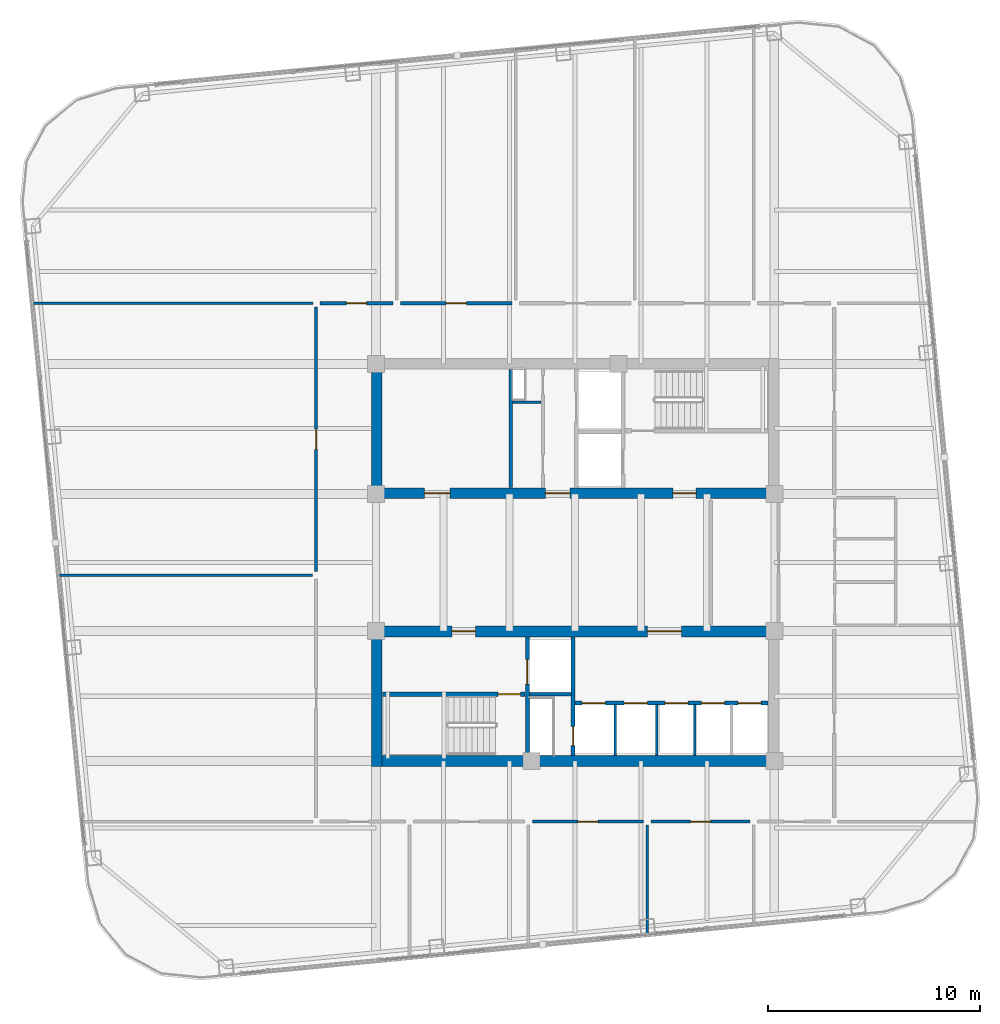
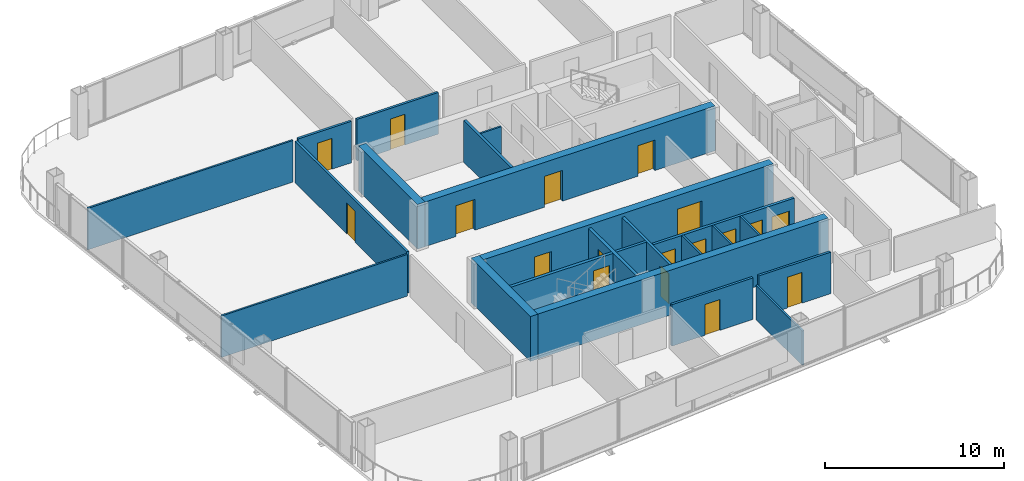
# One storey, part 17 of 22: 23 walls, 18 doors, 18 openings.
"""IFC4 building model written with IfcOpenShell, lengths in metres."""

from ifc_helpers import new_model, si_unit, direction, frame, frame_2d, origin, place, context, subcontext, project, spatial, rectangle, extrude, material, layer, layer_set, type_object, element, fill, save


model = new_model("IFC4")

# Units and contexts
model_context = context("Model", 3, precision=1e-05, world=origin(), true_north=direction((0.0, 1.0)))
body_context = subcontext(model_context, "Body", "Model", "MODEL_VIEW")
ifc_project = project(units=[si_unit("LENGTHUNIT", "METRE"), si_unit("AREAUNIT", "SQUARE_METRE"), si_unit("VOLUMEUNIT", "CUBIC_METRE"), si_unit("PLANEANGLEUNIT", "RADIAN"), si_unit("MASSUNIT", "GRAM", prefix="KILO")], contexts=[model_context])

# Site, building, storey
site_placement = place(None, origin())
site = spatial("IfcSite", under=ifc_project, at=site_placement, CompositionType="ELEMENT")
building_placement = place(site_placement, origin())
building = spatial("IfcBuilding", under=site, at=building_placement, Name="Qhalaya Broadcast Tower", CompositionType="ELEMENT")
storey_placement = place(building_placement, frame((0.0, 0.0, 165.300048828125)))
storey = spatial("IfcBuildingStorey", under=building, at=storey_placement, Name="L48", CompositionType="ELEMENT", Elevation=165.300048828125)

# Wall, opening, door
ifc_material_1 = material(Name="Gypsum Acoustic Partition")
ifc_layer_1 = layer(ifc_material_1, 0.14990234375, Name="Gypsum Acoustic Partition")
ifc_layer_set_1 = layer_set([ifc_layer_1], Name="Gypsum Acoustic Partition")
wall_type_1 = type_object("IfcWallType", Name="Corridor & Tenancy Acoustic Partition 150", PredefinedType="PARTITIONING", material=ifc_layer_set_1)
wall_1_placement = place(storey_placement, frame((-12.02001953125, 12.800048828125, 0.0), z_axis=(0.0, 0.0, 1.0), x_axis=(1.0, 0.0, 0.0)))
wall_1 = element("IfcWall", 1, at=wall_1_placement, inside=storey, type_object=wall_type_1, Name="L48 Partition Wall W-COR-01", PredefinedType="PARTITIONING", context=body_context, shape_type="SweptSolid", body=[
    extrude(rectangle(XDim=3.43994140625, YDim=0.14990234375, at=frame_2d((1.719970703125, 0.0))), origin(), (0.0, 0.0, 1.0), 2.829833984375),
])
opening_1_placement = place(wall_1_placement, frame((1.2451171875, 0.0, 0.0)))
opening_1 = element("IfcOpeningElement", 2, at=opening_1_placement, cuts=wall_1, Name="Opening D10", PredefinedType="OPENING", context=body_context, shape_type="SweptSolid", body=[
    extrude(rectangle(XDim=0.949951171875, YDim=2.10009765625, at=frame_2d((0.47509765625, 1.050048828125))), frame((0.0, 0.0869140625, 0.0), z_axis=(0.0, -1.0, 0.0), x_axis=(1.0, 0.0, 0.0)), (0.0, 0.0, 1.0), 0.173828125),
])
ifc_material_2 = material(Name="Timber Veneer Acoustic Door", Category="wood")
door_type_1 = type_object("IfcDoorType", Name="Cellular Office & Edit Booth Door D10", OperationType="NOTDEFINED", PredefinedType="DOOR", material=ifc_material_2)
door_1_placement = place(opening_1_placement, origin())
door_1 = element("IfcDoor", 3, at=door_1_placement, inside=storey, type_object=door_type_1, Name="L48 Door D-RM01", OperationType="SINGLE_SWING_RIGHT", OverallHeight=2.10009765625, OverallWidth=0.949951171875, PredefinedType="DOOR", context=body_context, shape_type="SweptSolid", body=[
    extrude(rectangle(XDim=0.949951171875, YDim=2.10009765625, at=frame_2d((0.47509765625, 1.050048828125))), frame((0.0, 0.02490234375, 0.0), z_axis=(0.0, -1.0, 0.0), x_axis=(1.0, 0.0, 0.0)), (0.0, 0.0, 1.0), 0.050048828125),
])
fill(opening_1, door_1)

wall_2_placement = place(storey_placement, frame((-8.219970703125, 12.800048828125, 0.0), z_axis=(0.0, 0.0, 1.0), x_axis=(1.0, 0.0, 0.0)))
wall_2 = element("IfcWall", 4, at=wall_2_placement, inside=storey, type_object=wall_type_1, Name="L48 Partition Wall W-COR-02", PredefinedType="PARTITIONING", context=body_context, shape_type="SweptSolid", body=[
    extrude(rectangle(XDim=5.239990234375, YDim=0.14990234375, at=frame_2d((2.6201171875, 0.0))), origin(), (0.0, 0.0, 1.0), 2.829833984375),
])
opening_2_placement = place(wall_2_placement, frame((2.14501953125, 0.0, 0.0)))
opening_2 = element("IfcOpeningElement", 5, at=opening_2_placement, cuts=wall_2, Name="Opening D10", PredefinedType="OPENING", context=body_context, shape_type="SweptSolid", body=[
    extrude(rectangle(XDim=0.949951171875, YDim=2.10009765625, at=frame_2d((0.47509765625, 1.050048828125))), frame((0.0, 0.0869140625, 0.0), z_axis=(0.0, -1.0, 0.0), x_axis=(1.0, 0.0, 0.0)), (0.0, 0.0, 1.0), 0.173828125),
])
door_2_placement = place(opening_2_placement, origin())
door_2 = element("IfcDoor", 6, at=door_2_placement, inside=storey, type_object=door_type_1, Name="L48 Door D-RM02", OperationType="SINGLE_SWING_LEFT", OverallHeight=2.10009765625, OverallWidth=0.949951171875, PredefinedType="DOOR", context=body_context, shape_type="SweptSolid", body=[
    extrude(rectangle(XDim=0.949951171875, YDim=2.10009765625, at=frame_2d((0.47509765625, 1.050048828125))), frame((0.0, 0.02490234375, 0.0), z_axis=(0.0, -1.0, 0.0), x_axis=(1.0, 0.0, 0.0)), (0.0, 0.0, 1.0), 0.050048828125),
])
fill(opening_2, door_2)

wall_3_placement = place(storey_placement, frame((-2.02001953125, -11.60009765625, 0.0), z_axis=(0.0, 0.0, 1.0), x_axis=(1.0, 0.0, 0.0)))
wall_3 = element("IfcWall", 7, at=wall_3_placement, inside=storey, type_object=wall_type_1, Name="L48 Partition Wall W-COR-08", PredefinedType="PARTITIONING", context=body_context, shape_type="SweptSolid", body=[
    extrude(rectangle(XDim=5.239990234375, YDim=0.14990234375, at=frame_2d((2.6201171875, 0.0))), origin(), (0.0, 0.0, 1.0), 2.829833984375),
])
opening_3_placement = place(wall_3_placement, frame((2.14501953125, 0.0, 0.0)))
opening_3 = element("IfcOpeningElement", 8, at=opening_3_placement, cuts=wall_3, Name="Opening D10", PredefinedType="OPENING", context=body_context, shape_type="SweptSolid", body=[
    extrude(rectangle(XDim=0.949951171875, YDim=2.10009765625, at=frame_2d((0.47509765625, 1.050048828125))), frame((0.0, 0.0869140625, 0.0), z_axis=(0.0, -1.0, 0.0), x_axis=(1.0, 0.0, 0.0)), (0.0, 0.0, 1.0), 0.173828125),
])
door_3_placement = place(opening_3_placement, origin())
door_3 = element("IfcDoor", 9, at=door_3_placement, inside=storey, type_object=door_type_1, Name="L48 Door D-RM08", OperationType="SINGLE_SWING_LEFT", OverallHeight=2.10009765625, OverallWidth=0.949951171875, PredefinedType="DOOR", context=body_context, shape_type="SweptSolid", body=[
    extrude(rectangle(XDim=0.949951171875, YDim=2.10009765625, at=frame_2d((0.47509765625, 1.050048828125))), frame((0.0, 0.02490234375, 0.0), z_axis=(0.0, -1.0, 0.0), x_axis=(1.0, 0.0, 0.0)), (0.0, 0.0, 1.0), 0.050048828125),
])
fill(opening_3, door_3)

wall_4_placement = place(storey_placement, frame((3.580078125, -11.60009765625, 0.0), z_axis=(0.0, 0.0, 1.0), x_axis=(1.0, 0.0, 0.0)))
wall_4 = element("IfcWall", 10, at=wall_4_placement, inside=storey, type_object=wall_type_1, Name="L48 Partition Wall W-COR-09", PredefinedType="PARTITIONING", context=body_context, shape_type="SweptSolid", body=[
    extrude(rectangle(XDim=4.639892578125, YDim=0.14990234375, at=frame_2d((2.31982421875, 0.0))), origin(), (0.0, 0.0, 1.0), 2.829833984375),
])
opening_4_placement = place(wall_4_placement, frame((1.844970703125, 0.0, 0.0)))
opening_4 = element("IfcOpeningElement", 11, at=opening_4_placement, cuts=wall_4, Name="Opening D10", PredefinedType="OPENING", context=body_context, shape_type="SweptSolid", body=[
    extrude(rectangle(XDim=0.949951171875, YDim=2.10009765625, at=frame_2d((0.47509765625, 1.050048828125))), frame((0.0, 0.0869140625, 0.0), z_axis=(0.0, -1.0, 0.0), x_axis=(1.0, 0.0, 0.0)), (0.0, 0.0, 1.0), 0.173828125),
])
door_4_placement = place(opening_4_placement, origin())
door_4 = element("IfcDoor", 12, at=door_4_placement, inside=storey, type_object=door_type_1, Name="L48 Door D-RM09", OperationType="SINGLE_SWING_RIGHT", OverallHeight=2.10009765625, OverallWidth=0.949951171875, PredefinedType="DOOR", context=body_context, shape_type="SweptSolid", body=[
    extrude(rectangle(XDim=0.949951171875, YDim=2.10009765625, at=frame_2d((0.47509765625, 1.050048828125))), frame((0.0, 0.02490234375, 0.0), z_axis=(0.0, -1.0, 0.0), x_axis=(1.0, 0.0, 0.0)), (0.0, 0.0, 1.0), 0.050048828125),
])
fill(opening_4, door_4)

wall_5_placement = place(storey_placement, frame((-12.199951171875, 0.179931640625, 0.0), z_axis=(0.0, 0.0, 1.0), x_axis=(0.0, 1.0, 0.0)))
wall_5 = element("IfcWall", 13, at=wall_5_placement, inside=storey, type_object=wall_type_1, Name="L48 Partition Wall W-COR-12", PredefinedType="PARTITIONING", context=body_context, shape_type="SweptSolid", body=[
    extrude(rectangle(XDim=12.440185546875, YDim=0.14990234375, at=frame_2d((6.22021484375, 0.0))), origin(), (0.0, 0.0, 1.0), 2.829833984375),
])
opening_5_placement = place(wall_5_placement, frame((5.7451171875, 0.0, 0.0)))
opening_5 = element("IfcOpeningElement", 14, at=opening_5_placement, cuts=wall_5, Name="Opening D10", PredefinedType="OPENING", context=body_context, shape_type="SweptSolid", body=[
    extrude(rectangle(XDim=0.949951171875, YDim=2.10009765625, at=frame_2d((0.47509765625, 1.050048828125))), frame((0.0, 0.0869140625, 0.0), z_axis=(0.0, -1.0, 0.0), x_axis=(1.0, 0.0, 0.0)), (0.0, 0.0, 1.0), 0.173828125),
])
door_5_placement = place(opening_5_placement, origin())
door_5 = element("IfcDoor", 15, at=door_5_placement, inside=storey, type_object=door_type_1, Name="L48 Door D-RM12", OperationType="SINGLE_SWING_LEFT", OverallHeight=2.10009765625, OverallWidth=0.949951171875, PredefinedType="DOOR", context=body_context, shape_type="SweptSolid", body=[
    extrude(rectangle(XDim=0.949951171875, YDim=2.10009765625, at=frame_2d((0.47509765625, 1.050048828125))), frame((0.0, 0.02490234375, 0.0), z_axis=(0.0, -1.0, 0.0), x_axis=(1.0, 0.0, 0.0)), (0.0, 0.0, 1.0), 0.050048828125),
])
fill(opening_5, door_5)

ifc_material_3 = material(Name="Concrete C50/60", Category="concrete")
ifc_layer_2 = layer(ifc_material_3, 0.199951171875, Name="Concrete C50/60")
ifc_layer_set_2 = layer_set([ifc_layer_2], Name="Concrete C50/60")
wall_type_2 = type_object("IfcWallType", Name="Load-Bearing Stair Shaft Wall 200", PredefinedType="SHEAR", material=ifc_layer_set_2)
wall_6_placement = place(storey_placement, frame((-9.080078125, -5.60498046875, 0.0), z_axis=(0.0, 0.0, 1.0), x_axis=(1.0, 0.0, 0.0)))
wall_6 = element("IfcWall", 16, at=wall_6_placement, inside=storey, type_object=wall_type_2, Name="L48 Stair Core Shear Wall SCW-ST2", PredefinedType="SHEAR", context=body_context, shape_type="SweptSolid", body=[
    extrude(rectangle(XDim=6.719970703125, YDim=0.199951171875, at=frame_2d((3.35986328125, 0.0))), origin(), (0.0, 0.0, 1.0), 2.829833984375),
])
opening_6_placement = place(wall_6_placement, frame((5.449951171875, 0.0, 0.0)))
opening_6 = element("IfcOpeningElement", 17, at=opening_6_placement, cuts=wall_6, Name="Opening D03", PredefinedType="OPENING", context=body_context, shape_type="SweptSolid", body=[
    extrude(rectangle(XDim=1.050048828125, YDim=2.080078125, at=frame_2d((0.52490234375, 1.0400390625))), frame((0.0, 0.112060546875, 0.0), z_axis=(0.0, -1.0, 0.0), x_axis=(1.0, 0.0, 0.0)), (0.0, 0.0, 1.0), 0.223876953125),
])
ifc_material_4 = material(Name="Fire-Rated Steel Door", Category="steel")
door_type_2 = type_object("IfcDoorType", Name="Core Stair Protected Fire Door D03", OperationType="NOTDEFINED", PredefinedType="DOOR", material=ifc_material_4)
door_6_placement = place(opening_6_placement, origin())
door_6 = element("IfcDoor", 18, at=door_6_placement, inside=storey, type_object=door_type_2, Name="L48 Door D-SST2", OperationType="SINGLE_SWING_RIGHT", OverallHeight=2.080078125, OverallWidth=1.050048828125, PredefinedType="DOOR", context=body_context, shape_type="SweptSolid", body=[
    extrude(rectangle(XDim=1.050048828125, YDim=2.080078125, at=frame_2d((0.52490234375, 1.0400390625))), frame((0.0, 0.02490234375, 0.0), z_axis=(0.0, -1.0, 0.0), x_axis=(1.0, 0.0, 0.0)), (0.0, 0.0, 1.0), 0.050048828125),
])
fill(opening_6, door_6)

wall_7_placement = place(storey_placement, frame((-2.25, -8.47998046875, 0.0), z_axis=(0.0, 0.0, 1.0), x_axis=(0.0, 1.0, 0.0)))
wall_7 = element("IfcWall", 19, at=wall_7_placement, inside=storey, type_object=wall_type_2, Name="L48 Stair Core Shear Wall SCW-FF", PredefinedType="SHEAR", context=body_context, shape_type="SweptSolid", body=[
    extrude(rectangle(XDim=5.56005859375, YDim=0.199951171875, at=frame_2d((2.780029296875, 0.0))), origin(), (0.0, 0.0, 1.0), 2.829833984375),
])
opening_7_placement = place(wall_7_placement, frame((3.35009765625, 0.0, 0.0)))
opening_7 = element("IfcOpeningElement", 20, at=opening_7_placement, cuts=wall_7, Name="Opening LD2", PredefinedType="OPENING", context=body_context, shape_type="SweptSolid", body=[
    extrude(rectangle(XDim=1.14990234375, YDim=2.080078125, at=frame_2d((0.574951171875, 1.0400390625))), frame((0.0, 0.112060546875, 0.0), z_axis=(0.0, -1.0, 0.0), x_axis=(1.0, 0.0, 0.0)), (0.0, 0.0, 1.0), 0.223876953125),
])
ifc_material_5 = material(Name="Brushed Stainless Steel Lift Door", Category="steel")
door_type_3 = type_object("IfcDoorType", Name="Firefighting Lift Sliding Landing Door LD2", OperationType="DOUBLE_DOOR_SLIDING", PredefinedType="DOOR", material=ifc_material_5)
door_7_placement = place(opening_7_placement, origin())
door_7 = element("IfcDoor", 21, at=door_7_placement, inside=storey, type_object=door_type_3, Name="L48 Door LD-FF2", OperationType="DOUBLE_DOOR_SLIDING", OverallHeight=2.080078125, OverallWidth=1.14990234375, PredefinedType="DOOR", context=body_context, shape_type="SweptSolid", body=[
    extrude(rectangle(XDim=1.14990234375, YDim=2.080078125, at=frame_2d((0.574951171875, 1.0400390625))), frame((0.0, 0.02490234375, 0.0), z_axis=(0.0, -1.0, 0.0), x_axis=(1.0, 0.0, 0.0)), (0.0, 0.0, 1.0), 0.050048828125),
])
fill(opening_7, door_7)

# Wall, openings, doors
ifc_layer_3 = layer(ifc_material_3, 0.5, Name="Concrete C50/60")
ifc_layer_set_3 = layer_set([ifc_layer_3], Name="Concrete C50/60")
wall_type_3 = type_object("IfcWallType", Name="Mid Split-Core Shear Wall 500", PredefinedType="SHEAR", material=ifc_layer_set_3)
wall_8_placement = place(storey_placement, frame((-9.60009765625, 3.85009765625, 0.0), z_axis=(0.0, 0.0, 1.0), x_axis=(1.0, 0.0, 0.0)))
wall_8 = element("IfcWall", 22, at=wall_8_placement, inside=storey, type_object=wall_type_3, Name="L48 Split-Core Shear Wall CW-NS", PredefinedType="SHEAR", context=body_context, shape_type="SweptSolid", body=[
    extrude(rectangle(XDim=19.2001953125, YDim=0.5, at=frame_2d((9.60009765625, 0.0))), origin(), (0.0, 0.0, 1.0), 3.050048828125),
])
opening_8_placement = place(wall_8_placement, frame((14.199951171875, 0.0, 0.0)))
opening_8 = element("IfcOpeningElement", 23, at=opening_8_placement, cuts=wall_8, Name="Opening D04", PredefinedType="OPENING", context=body_context, shape_type="SweptSolid", body=[
    extrude(rectangle(XDim=1.10009765625, YDim=2.080078125, at=frame_2d((0.550048828125, 1.0400390625))), frame((0.0, 0.261962890625, 0.0), z_axis=(0.0, -1.0, 0.0), x_axis=(1.0, 0.0, 0.0)), (0.0, 0.0, 1.0), 0.52392578125),
])
opening_9_placement = place(wall_8_placement, frame((8.199951171875, 0.0, 0.0)))
opening_9 = element("IfcOpeningElement", 24, at=opening_9_placement, cuts=wall_8, Name="Opening D05", PredefinedType="OPENING", context=body_context, shape_type="SweptSolid", body=[
    extrude(rectangle(XDim=1.14990234375, YDim=2.10009765625, at=frame_2d((0.574951171875, 1.050048828125))), frame((0.0, 0.261962890625, 0.0), z_axis=(0.0, -1.0, 0.0), x_axis=(1.0, 0.0, 0.0)), (0.0, 0.0, 1.0), 0.52392578125),
])
opening_10_placement = place(wall_8_placement, frame((2.5, 0.0, 0.0)))
opening_10 = element("IfcOpeningElement", 25, at=opening_10_placement, cuts=wall_8, Name="Opening D11", PredefinedType="OPENING", context=body_context, shape_type="SweptSolid", body=[
    extrude(rectangle(XDim=1.199951171875, YDim=2.10009765625, at=frame_2d((0.60009765625, 1.050048828125))), frame((0.0, 0.261962890625, 0.0), z_axis=(0.0, -1.0, 0.0), x_axis=(1.0, 0.0, 0.0)), (0.0, 0.0, 1.0), 0.52392578125),
])
ifc_material_6 = material(Name="Anodised Aluminium Glazed Door", Category="aluminium")
door_type_4 = type_object("IfcDoorType", Name="Conference, Boardroom & Studio Control Door D11", OperationType="NOTDEFINED", PredefinedType="DOOR", material=ifc_material_6)
door_8_placement = place(opening_10_placement, origin())
door_8 = element("IfcDoor", 26, at=door_8_placement, inside=storey, type_object=door_type_4, Name="L48 Door D-NREC1", OperationType="SINGLE_SWING_LEFT", OverallHeight=2.10009765625, OverallWidth=1.199951171875, PredefinedType="DOOR", context=body_context, shape_type="SweptSolid", body=[
    extrude(rectangle(XDim=1.199951171875, YDim=2.10009765625, at=frame_2d((0.60009765625, 1.050048828125))), frame((0.0, 0.02490234375, 0.0), z_axis=(0.0, -1.0, 0.0), x_axis=(1.0, 0.0, 0.0)), (0.0, 0.0, 1.0), 0.050048828125),
])
fill(opening_10, door_8)
door_type_5 = type_object("IfcDoorType", Name="Firefighting Lobby Rated Door D04", OperationType="NOTDEFINED", PredefinedType="DOOR", material=ifc_material_4)
door_9_placement = place(opening_8_placement, origin())
door_9 = element("IfcDoor", 27, at=door_9_placement, inside=storey, type_object=door_type_5, Name="L48 Door D-NFF", OperationType="SINGLE_SWING_RIGHT", OverallHeight=2.080078125, OverallWidth=1.10009765625, PredefinedType="DOOR", context=body_context, shape_type="SweptSolid", body=[
    extrude(rectangle(XDim=1.10009765625, YDim=2.080078125, at=frame_2d((0.550048828125, 1.0400390625))), frame((0.0, 0.02490234375, 0.0), z_axis=(0.0, -1.0, 0.0), x_axis=(1.0, 0.0, 0.0)), (0.0, 0.0, 1.0), 0.050048828125),
])
fill(opening_8, door_9)
door_type_6 = type_object("IfcDoorType", Name="Refuge & Plant Room Fire Door D05", OperationType="NOTDEFINED", PredefinedType="DOOR", material=ifc_material_4)
door_10_placement = place(opening_9_placement, origin())
door_10 = element("IfcDoor", 28, at=door_10_placement, inside=storey, type_object=door_type_6, Name="L48 Door D-NSVL", OperationType="SINGLE_SWING_LEFT", OverallHeight=2.10009765625, OverallWidth=1.14990234375, PredefinedType="DOOR", context=body_context, shape_type="SweptSolid", body=[
    extrude(rectangle(XDim=1.14990234375, YDim=2.10009765625, at=frame_2d((0.574951171875, 1.050048828125))), frame((0.0, 0.02490234375, 0.0), z_axis=(0.0, -1.0, 0.0), x_axis=(1.0, 0.0, 0.0)), (0.0, 0.0, 1.0), 0.050048828125),
])
fill(opening_9, door_10)

# Walls
wall_9_placement = place(storey_placement, frame((-9.35009765625, 3.60009765625, 0.0), z_axis=(0.0, 0.0, 1.0), x_axis=(0.0, 1.0, 0.0)))
element("IfcWall", 29, at=wall_9_placement, inside=storey, type_object=wall_type_3, Name="L48 Split-Core Shear Wall CW-NW", PredefinedType="SHEAR", context=body_context, shape_type="SweptSolid", body=[
    extrude(rectangle(XDim=6.599853515625, YDim=0.5, at=frame_2d((3.2998046875, 0.0))), origin(), (0.0, 0.0, 1.0), 3.050048828125),
])
wall_10_placement = place(storey_placement, frame((-9.60009765625, -8.75, 0.0), z_axis=(0.0, 0.0, 1.0), x_axis=(1.0, 0.0, 0.0)))
element("IfcWall", 30, at=wall_10_placement, inside=storey, type_object=wall_type_3, Name="L48 Split-Core Shear Wall CW-SS", PredefinedType="SHEAR", context=body_context, shape_type="SweptSolid", body=[
    extrude(rectangle(XDim=19.2001953125, YDim=0.5, at=frame_2d((9.60009765625, 0.0))), origin(), (0.0, 0.0, 1.0), 3.050048828125),
])

# Wall, openings, doors
wall_11_placement = place(storey_placement, frame((-9.60009765625, -2.64990234375, 0.0), z_axis=(0.0, 0.0, 1.0), x_axis=(1.0, 0.0, 0.0)))
wall_11 = element("IfcWall", 31, at=wall_11_placement, inside=storey, type_object=wall_type_3, Name="L48 Split-Core Shear Wall CW-SN", PredefinedType="SHEAR", context=body_context, shape_type="SweptSolid", body=[
    extrude(rectangle(XDim=19.2001953125, YDim=0.5, at=frame_2d((9.60009765625, 0.0))), origin(), (0.0, 0.0, 1.0), 3.050048828125),
])
opening_11_placement = place(wall_11_placement, frame((3.800048828125, 0.0, 0.0)))
opening_11 = element("IfcOpeningElement", 32, at=opening_11_placement, cuts=wall_11, Name="Opening D04", PredefinedType="OPENING", context=body_context, shape_type="SweptSolid", body=[
    extrude(rectangle(XDim=1.10009765625, YDim=2.080078125, at=frame_2d((0.550048828125, 1.0400390625))), frame((0.0, 0.261962890625, 0.0), z_axis=(0.0, -1.0, 0.0), x_axis=(1.0, 0.0, 0.0)), (0.0, 0.0, 1.0), 0.52392578125),
])
opening_12_placement = place(wall_11_placement, frame((13.0, 0.0, 0.0)))
opening_12 = element("IfcOpeningElement", 33, at=opening_12_placement, cuts=wall_11, Name="Opening D07", PredefinedType="OPENING", context=body_context, shape_type="SweptSolid", body=[
    extrude(rectangle(XDim=1.60009765625, YDim=2.1201171875, at=frame_2d((0.800048828125, 1.06005859375))), frame((0.0, 0.261962890625, 0.0), z_axis=(0.0, -1.0, 0.0), x_axis=(1.0, 0.0, 0.0)), (0.0, 0.0, 1.0), 0.52392578125),
])
door_11_placement = place(opening_11_placement, origin())
door_11 = element("IfcDoor", 34, at=door_11_placement, inside=storey, type_object=door_type_5, Name="L48 Door D-SFF", OperationType="SINGLE_SWING_LEFT", OverallHeight=2.080078125, OverallWidth=1.10009765625, PredefinedType="DOOR", context=body_context, shape_type="SweptSolid", body=[
    extrude(rectangle(XDim=1.10009765625, YDim=2.080078125, at=frame_2d((0.550048828125, 1.0400390625))), frame((0.0, 0.02490234375, 0.0), z_axis=(0.0, -1.0, 0.0), x_axis=(1.0, 0.0, 0.0)), (0.0, 0.0, 1.0), 0.050048828125),
])
fill(opening_11, door_11)
door_type_7 = type_object("IfcDoorType", Name="Passenger Lift Lobby Double Glazed Door D07", OperationType="DOUBLE_DOOR_SINGLE_SWING", PredefinedType="DOOR", material=ifc_material_6)
door_12_placement = place(opening_12_placement, origin())
door_12 = element("IfcDoor", 35, at=door_12_placement, inside=storey, type_object=door_type_7, Name="L48 Door D-SPLL", OperationType="DOUBLE_DOOR_SINGLE_SWING", OverallHeight=2.1201171875, OverallWidth=1.60009765625, PredefinedType="DOOR", context=body_context, shape_type="SweptSolid", body=[
    extrude(rectangle(XDim=1.60009765625, YDim=2.1201171875, at=frame_2d((0.800048828125, 1.06005859375))), frame((0.0, 0.02490234375, 0.0), z_axis=(0.0, -1.0, 0.0), x_axis=(1.0, 0.0, 0.0)), (0.0, 0.0, 1.0), 0.050048828125),
])
fill(opening_12, door_12)

# Walls
wall_12_placement = place(storey_placement, frame((-9.35009765625, -9.0, 0.0), z_axis=(0.0, 0.0, 1.0), x_axis=(0.0, 1.0, 0.0)))
element("IfcWall", 36, at=wall_12_placement, inside=storey, type_object=wall_type_3, Name="L48 Split-Core Shear Wall CW-SW", PredefinedType="SHEAR", context=body_context, shape_type="SweptSolid", body=[
    extrude(rectangle(XDim=6.60009765625, YDim=0.5, at=frame_2d((3.300048828125, 0.0))), origin(), (0.0, 0.0, 1.0), 3.050048828125),
])
ifc_layer_4 = layer(ifc_material_1, 0.1201171875, Name="Gypsum Acoustic Partition")
ifc_layer_set_4 = layer_set([ifc_layer_4], Name="Gypsum Acoustic Partition")
wall_type_4 = type_object("IfcWallType", Name="Office, Booth & Sanitary Partition 120", PredefinedType="PARTITIONING", material=ifc_layer_set_4)
wall_13_placement = place(storey_placement, frame((-2.9599609375, 8.14990234375, 0.0), z_axis=(0.0, 0.0, 1.0), x_axis=(1.0, 0.0, 0.0)))
element("IfcWall", 37, at=wall_13_placement, inside=storey, type_object=wall_type_4, Name="L48 Partition Wall NCW-VA", PredefinedType="PARTITIONING", context=body_context, shape_type="SweptSolid", body=[
    extrude(rectangle(XDim=1.35986328125, YDim=0.1201171875, at=frame_2d((0.679931640625, 0.0))), origin(), (0.0, 0.0, 1.0), 2.829833984375),
])
for number, where, z_axis, x_axis, name in (
    (38, (1.8798828125, -8.47998046875, 0.0), (0.0, 0.0, 1.0), (0.0, 1.0, 0.0), "L48 Partition Wall SCW-MD4"),
    (39, (3.85009765625, -8.47998046875, 0.0), (0.0, 0.0, 1.0), (0.0, 1.0, 0.0), "L48 Partition Wall SCW-MD5"),
    (40, (5.639892578125, -8.47998046875, 0.0), (0.0, 0.0, 1.0), (0.0, 1.0, 0.0), "L48 Partition Wall SCW-HD6"),
):
    element("IfcWall", number, at=place(storey_placement, frame(where, z_axis=z_axis, x_axis=x_axis)), inside=storey, type_object=wall_type_4, Name=name, PredefinedType="PARTITIONING", context=body_context, shape_type="SweptSolid", body=[
        extrude(rectangle(XDim=2.3798828125, YDim=0.1201171875, at=frame_2d((1.18994140625, 0.0))), origin(), (0.0, 0.0, 1.0), 2.829833984375),
    ])
wall_14_placement = place(storey_placement, frame((-25.558837890625, 12.800048828125, 0.0), z_axis=(0.0, 0.0, 1.0), x_axis=(1.0, 0.0, 0.0)))
element("IfcWall", 41, at=wall_14_placement, inside=storey, type_object=wall_type_4, Name="L48 Partition Wall W-BNDW1", PredefinedType="PARTITIONING", context=body_context, shape_type="SweptSolid", body=[
    extrude(rectangle(XDim=13.21875, YDim=0.1201171875, at=frame_2d((6.609375, 0.0))), origin(), (0.0, 0.0, 1.0), 2.829833984375),
])
wall_15_placement = place(storey_placement, frame((3.39990234375, -16.9189453125, 0.0), z_axis=(0.0, 0.0, 1.0), x_axis=(0.0, 1.0, 0.0)))
element("IfcWall", 42, at=wall_15_placement, inside=storey, type_object=wall_type_4, Name="L48 Partition Wall W-DIVS3", PredefinedType="PARTITIONING", context=body_context, shape_type="SweptSolid", body=[
    extrude(rectangle(XDim=5.158935546875, YDim=0.1201171875, at=frame_2d((2.57958984375, 0.0))), origin(), (0.0, 0.0, 1.0), 2.346923828125),
])
wall_16_placement = place(storey_placement, frame((-24.326416015625, 0.0, 0.0), z_axis=(0.0, 0.0, 1.0), x_axis=(1.0, 0.0, 0.0)))
element("IfcWall", 43, at=wall_16_placement, inside=storey, type_object=wall_type_4, Name="L48 Partition Wall W-DIVW1", PredefinedType="PARTITIONING", context=body_context, shape_type="SweptSolid", body=[
    extrude(rectangle(XDim=11.96630859375, YDim=0.1201171875, at=frame_2d((5.983154296875, 0.0))), origin(), (0.0, 0.0, 1.0), 2.829833984375),
])
ifc_layer_5 = layer(ifc_material_1, 0.175048828125, Name="Gypsum Acoustic Partition")
ifc_layer_set_5 = layer_set([ifc_layer_5], Name="Gypsum Acoustic Partition")
wall_type_5 = type_object("IfcWallType", Name="Shaft & Riser Fire Partition 175", PredefinedType="PARTITIONING", material=ifc_layer_set_5)
wall_17_placement = place(storey_placement, frame((-3.0400390625, 4.1201171875, 0.0), z_axis=(0.0, 0.0, 1.0), x_axis=(0.0, 1.0, 0.0)))
element("IfcWall", 44, at=wall_17_placement, inside=storey, type_object=wall_type_5, Name="L48 Partition Wall NCW-VRW", PredefinedType="PARTITIONING", context=body_context, shape_type="SweptSolid", body=[
    extrude(rectangle(XDim=5.559814453125, YDim=0.175048828125, at=frame_2d((2.77978515625, 0.0))), origin(), (0.0, 0.0, 1.0), 2.829833984375),
])

# Wall, opening, door
wall_18_placement = place(storey_placement, frame((-0.10009765625, -8.47998046875, 0.0), z_axis=(0.0, 0.0, 1.0), x_axis=(0.0, 1.0, 0.0)))
wall_18 = element("IfcWall", 45, at=wall_18_placement, inside=storey, type_object=wall_type_5, Name="L48 Partition Wall SCW-FFE", PredefinedType="PARTITIONING", context=body_context, shape_type="SweptSolid", body=[
    extrude(rectangle(XDim=5.56005859375, YDim=0.175048828125, at=frame_2d((2.780029296875, 0.0))), origin(), (0.0, 0.0, 1.0), 2.829833984375),
])
opening_13_placement = place(wall_18_placement, frame((0.449951171875, 0.0, 0.0)))
opening_13 = element("IfcOpeningElement", 46, at=opening_13_placement, cuts=wall_18, Name="Opening D06", PredefinedType="OPENING", context=body_context, shape_type="SweptSolid", body=[
    extrude(rectangle(XDim=0.89990234375, YDim=2.050048828125, at=frame_2d((0.449951171875, 1.02490234375))), frame((0.0, 0.099609375, 0.0), z_axis=(0.0, -1.0, 0.0), x_axis=(1.0, 0.0, 0.0)), (0.0, 0.0, 1.0), 0.198974609375),
])
door_type_8 = type_object("IfcDoorType", Name="Riser & Electrical Shaft Access Door D06", OperationType="NOTDEFINED", PredefinedType="DOOR", material=ifc_material_4)
door_13_placement = place(opening_13_placement, origin())
door_13 = element("IfcDoor", 47, at=door_13_placement, inside=storey, type_object=door_type_8, Name="L48 Riser Shaft Access Door D-SRSR", OperationType="SINGLE_SWING_LEFT", OverallHeight=2.050048828125, OverallWidth=0.89990234375, PredefinedType="DOOR", context=body_context, shape_type="SweptSolid", body=[
    extrude(rectangle(XDim=0.89990234375, YDim=2.050048828125, at=frame_2d((0.449951171875, 1.02490234375))), frame((0.0, 0.02490234375, 0.0), z_axis=(0.0, -1.0, 0.0), x_axis=(1.0, 0.0, 0.0)), (0.0, 0.0, 1.0), 0.050048828125),
])
fill(opening_13, door_13)

# Wall
wall_19_placement = place(storey_placement, frame((-2.14990234375, -5.60009765625, 0.0), z_axis=(0.0, 0.0, 1.0), x_axis=(1.0, 0.0, 0.0)))
element("IfcWall", 48, at=wall_19_placement, inside=storey, type_object=wall_type_5, Name="L48 Partition Wall SCW-FFM", PredefinedType="PARTITIONING", context=body_context, shape_type="SweptSolid", body=[
    extrude(rectangle(XDim=1.969970703125, YDim=0.175048828125, at=frame_2d((0.98486328125, 0.0))), origin(), (0.0, 0.0, 1.0), 2.829833984375),
])

# Wall, openings, doors
wall_20_placement = place(storey_placement, frame((0.0, -6.02001953125, 0.0), z_axis=(0.0, 0.0, 1.0), x_axis=(1.0, 0.0, 0.0)))
wall_20 = element("IfcWall", 49, at=wall_20_placement, inside=storey, type_object=wall_type_5, Name="L48 Partition Wall SCW-SLB", PredefinedType="PARTITIONING", context=body_context, shape_type="SweptSolid", body=[
    extrude(rectangle(XDim=9.080078125, YDim=0.175048828125, at=frame_2d((4.5400390625, 0.0))), origin(), (0.0, 0.0, 1.0), 2.829833984375),
])
opening_14_placement = place(wall_20_placement, frame((0.330078125, 0.0, 0.0)))
opening_14 = element("IfcOpeningElement", 50, at=opening_14_placement, cuts=wall_20, Name="Opening LD1", PredefinedType="OPENING", context=body_context, shape_type="SweptSolid", body=[
    extrude(rectangle(XDim=1.10009765625, YDim=2.06005859375, at=frame_2d((0.550048828125, 1.030029296875))), frame((0.0, 0.099609375, 0.0), z_axis=(0.0, -1.0, 0.0), x_axis=(1.0, 0.0, 0.0)), (0.0, 0.0, 1.0), 0.198974609375),
])
opening_15_placement = place(wall_20_placement, frame((2.300048828125, 0.0, 0.0)))
opening_15 = element("IfcOpeningElement", 51, at=opening_15_placement, cuts=wall_20, Name="Opening LD1", PredefinedType="OPENING", context=body_context, shape_type="SweptSolid", body=[
    extrude(rectangle(XDim=1.10009765625, YDim=2.06005859375, at=frame_2d((0.550048828125, 1.030029296875))), frame((0.0, 0.099609375, 0.0), z_axis=(0.0, -1.0, 0.0), x_axis=(1.0, 0.0, 0.0)), (0.0, 0.0, 1.0), 0.198974609375),
])
opening_16_placement = place(wall_20_placement, frame((4.219970703125, 0.0, 0.0)))
opening_16 = element("IfcOpeningElement", 52, at=opening_16_placement, cuts=wall_20, Name="Opening LD1", PredefinedType="OPENING", context=body_context, shape_type="SweptSolid", body=[
    extrude(rectangle(XDim=1.10009765625, YDim=2.06005859375, at=frame_2d((0.550048828125, 1.030029296875))), frame((0.0, 0.099609375, 0.0), z_axis=(0.0, -1.0, 0.0), x_axis=(1.0, 0.0, 0.0)), (0.0, 0.0, 1.0), 0.198974609375),
])
opening_17_placement = place(wall_20_placement, frame((5.93994140625, 0.0, 0.0)))
opening_17 = element("IfcOpeningElement", 53, at=opening_17_placement, cuts=wall_20, Name="Opening LD1", PredefinedType="OPENING", context=body_context, shape_type="SweptSolid", body=[
    extrude(rectangle(XDim=1.10009765625, YDim=2.06005859375, at=frame_2d((0.550048828125, 1.030029296875))), frame((0.0, 0.099609375, 0.0), z_axis=(0.0, -1.0, 0.0), x_axis=(1.0, 0.0, 0.0)), (0.0, 0.0, 1.0), 0.198974609375),
])
opening_18_placement = place(wall_20_placement, frame((7.659912109375, 0.0, 0.0)))
opening_18 = element("IfcOpeningElement", 54, at=opening_18_placement, cuts=wall_20, Name="Opening LD1", PredefinedType="OPENING", context=body_context, shape_type="SweptSolid", body=[
    extrude(rectangle(XDim=1.10009765625, YDim=2.06005859375, at=frame_2d((0.550048828125, 1.030029296875))), frame((0.0, 0.099609375, 0.0), z_axis=(0.0, -1.0, 0.0), x_axis=(1.0, 0.0, 0.0)), (0.0, 0.0, 1.0), 0.198974609375),
])
door_type_9 = type_object("IfcDoorType", Name="Passenger Lift Sliding Landing Door LD1", OperationType="DOUBLE_DOOR_SLIDING", PredefinedType="DOOR", material=ifc_material_5)
door_14_placement = place(opening_14_placement, origin())
door_14 = element("IfcDoor", 55, at=door_14_placement, inside=storey, type_object=door_type_9, Name="L48 Door LD-P4", OperationType="DOUBLE_DOOR_SLIDING", OverallHeight=2.06005859375, OverallWidth=1.10009765625, PredefinedType="DOOR", context=body_context, shape_type="SweptSolid", body=[
    extrude(rectangle(XDim=1.10009765625, YDim=2.06005859375, at=frame_2d((0.550048828125, 1.030029296875))), frame((0.0, 0.02490234375, 0.0), z_axis=(0.0, -1.0, 0.0), x_axis=(1.0, 0.0, 0.0)), (0.0, 0.0, 1.0), 0.050048828125),
])
fill(opening_14, door_14)
door_15_placement = place(opening_15_placement, origin())
door_15 = element("IfcDoor", 56, at=door_15_placement, inside=storey, type_object=door_type_9, Name="L48 Door LD-P5", OperationType="DOUBLE_DOOR_SLIDING", OverallHeight=2.06005859375, OverallWidth=1.10009765625, PredefinedType="DOOR", context=body_context, shape_type="SweptSolid", body=[
    extrude(rectangle(XDim=1.10009765625, YDim=2.06005859375, at=frame_2d((0.550048828125, 1.030029296875))), frame((0.0, 0.02490234375, 0.0), z_axis=(0.0, -1.0, 0.0), x_axis=(1.0, 0.0, 0.0)), (0.0, 0.0, 1.0), 0.050048828125),
])
fill(opening_15, door_15)
door_16_placement = place(opening_16_placement, origin())
door_16 = element("IfcDoor", 57, at=door_16_placement, inside=storey, type_object=door_type_9, Name="L48 Door LD-P6", OperationType="DOUBLE_DOOR_SLIDING", OverallHeight=2.06005859375, OverallWidth=1.10009765625, PredefinedType="DOOR", context=body_context, shape_type="SweptSolid", body=[
    extrude(rectangle(XDim=1.10009765625, YDim=2.06005859375, at=frame_2d((0.550048828125, 1.030029296875))), frame((0.0, 0.02490234375, 0.0), z_axis=(0.0, -1.0, 0.0), x_axis=(1.0, 0.0, 0.0)), (0.0, 0.0, 1.0), 0.050048828125),
])
fill(opening_16, door_16)
door_17_placement = place(opening_17_placement, origin())
door_17 = element("IfcDoor", 58, at=door_17_placement, inside=storey, type_object=door_type_9, Name="L48 Door LD-P7", OperationType="DOUBLE_DOOR_SLIDING", OverallHeight=2.06005859375, OverallWidth=1.10009765625, PredefinedType="DOOR", context=body_context, shape_type="SweptSolid", body=[
    extrude(rectangle(XDim=1.10009765625, YDim=2.06005859375, at=frame_2d((0.550048828125, 1.030029296875))), frame((0.0, 0.02490234375, 0.0), z_axis=(0.0, -1.0, 0.0), x_axis=(1.0, 0.0, 0.0)), (0.0, 0.0, 1.0), 0.050048828125),
])
fill(opening_17, door_17)
door_18_placement = place(opening_18_placement, origin())
door_18 = element("IfcDoor", 59, at=door_18_placement, inside=storey, type_object=door_type_9, Name="L48 Door LD-P8", OperationType="DOUBLE_DOOR_SLIDING", OverallHeight=2.06005859375, OverallWidth=1.10009765625, PredefinedType="DOOR", context=body_context, shape_type="SweptSolid", body=[
    extrude(rectangle(XDim=1.10009765625, YDim=2.06005859375, at=frame_2d((0.550048828125, 1.030029296875))), frame((0.0, 0.02490234375, 0.0), z_axis=(0.0, -1.0, 0.0), x_axis=(1.0, 0.0, 0.0)), (0.0, 0.0, 1.0), 0.050048828125),
])
fill(opening_18, door_18)

save(model, "model.ifc")
